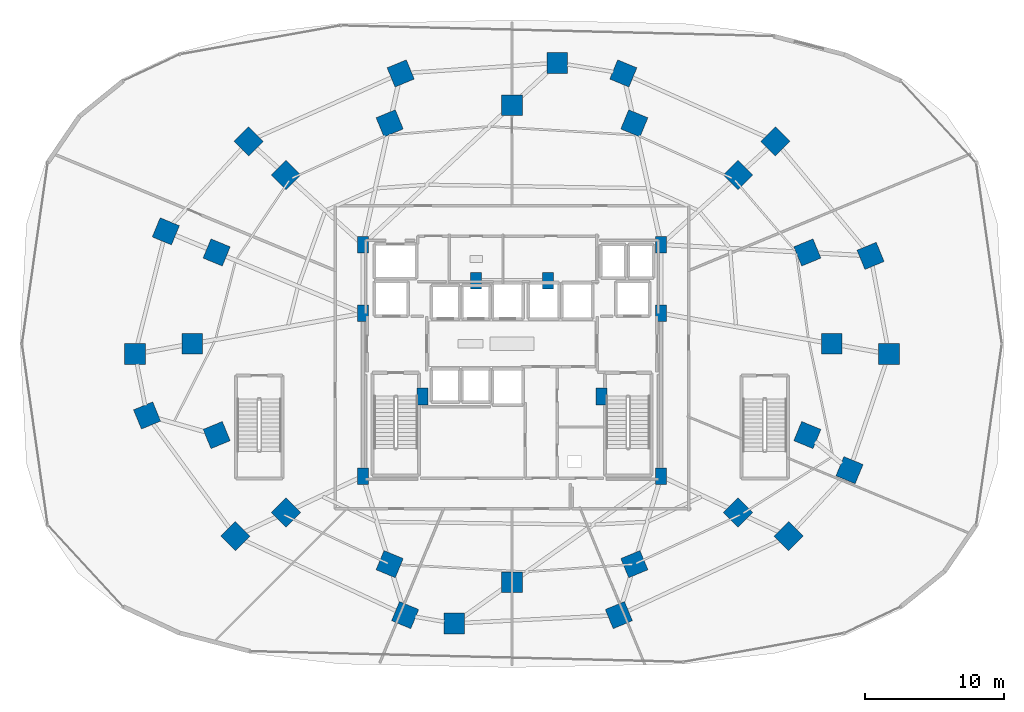
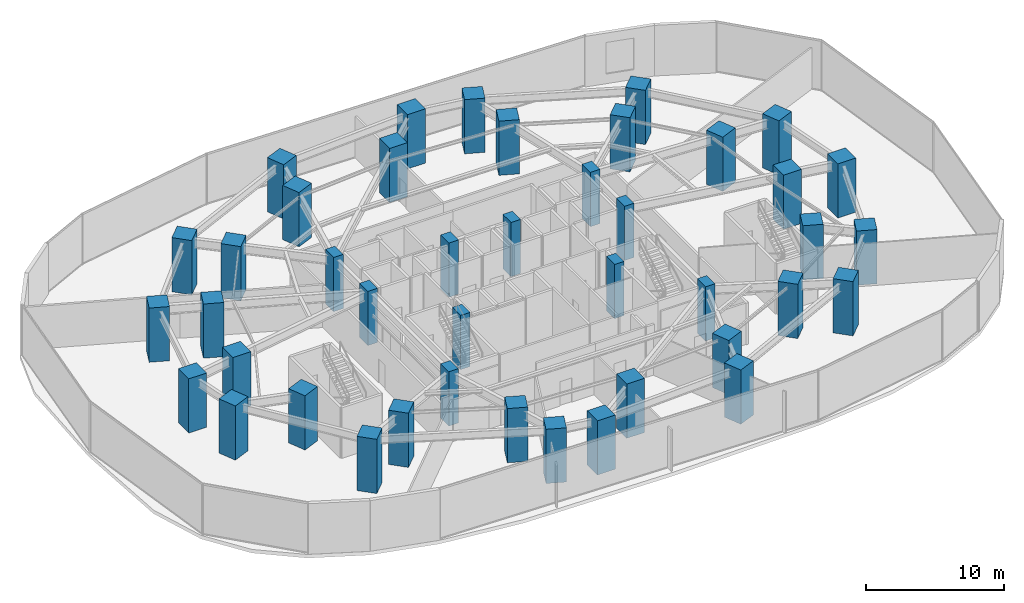
# One storey, part 1 of 27: 42 columns.
"""IFC4 building model written with IfcOpenShell, lengths in metres."""

from ifc_helpers import new_model, si_unit, direction, frame, origin, origin_2d, place, context, subcontext, project, spatial, rectangle, extrude, material, material_profile, profile_set, type_object, element, save


model = new_model("IFC4")

# Units and contexts
model_context = context("Model", 3, precision=1e-05, world=origin(), true_north=direction((0.0, 1.0)))
body_context = subcontext(model_context, "Body", "Model", "MODEL_VIEW")
ifc_project = project(units=[si_unit("LENGTHUNIT", "METRE"), si_unit("AREAUNIT", "SQUARE_METRE"), si_unit("VOLUMEUNIT", "CUBIC_METRE"), si_unit("PLANEANGLEUNIT", "RADIAN"), si_unit("MASSUNIT", "GRAM", prefix="KILO")], contexts=[model_context])

# Site, building, storey
site_placement = place(None, origin())
site = spatial("IfcSite", under=ifc_project, at=site_placement, CompositionType="ELEMENT")
building_placement = place(site_placement, origin())
building = spatial("IfcBuilding", under=site, at=building_placement, Name="Vorneva Point Tower", CompositionType="ELEMENT")
storey_placement = place(building_placement, frame((0.0, 0.0, 4.800048828125)))
storey = spatial("IfcBuildingStorey", under=building, at=storey_placement, Name="L01", CompositionType="ELEMENT", Elevation=4.800048828125)

# Columns
ifc_material = material(Name="Concrete B60 (C50/60)", Category="concrete")
ifc_material_profile_1 = material_profile(ifc_material, rectangle(XDim=1.5, YDim=1.5, at=origin_2d()), Name="RC-COL 1500x1500")
ifc_profile_set_1 = profile_set([ifc_material_profile_1], Name="Concrete B60 (C50/60)")
column_type_1 = type_object("IfcColumnType", Name="COL-RC1500", PredefinedType="COLUMN", material=ifc_profile_set_1)
for number, where, z_axis, x_axis, name in (
    (1, (61.050048828125, 26.0, 0.0), (0.0, 0.0, 1.0), (1.0, 0.0, 0.0), "L01 Perimeter Column P01"),
    (2, (59.29541015625, 32.582275390625, 0.0), (0.0, 0.0, 1.0), (0.923879532511, 0.382683432365, 0.0), "L01 Perimeter Column P02"),
    (3, (54.298828125, 38.162109375, 0.0), (0.0, 0.0, 1.0), (0.707106781187, 0.707106781187, 0.0), "L01 Perimeter Column P03"),
    (4, (46.82080078125, 41.890625, 0.0), (0.0, 0.0, 1.0), (0.382683432365, 0.923879532511, 0.0), "L01 Perimeter Column P04"),
    (5, (38.0, 43.199951171875, 0.0), (0.0, 0.0, 1.0), (0.0, 1.0, 0.0), "L01 Perimeter Column P05"),
    (6, (29.17919921875, 41.890625, 0.0), (0.0, 0.0, 1.0), (-0.382683432365, 0.923879532511, 0.0), "L01 Perimeter Column P06"),
    (7, (21.701171875, 38.162109375, 0.0), (0.0, 0.0, 1.0), (-0.707106781187, 0.707106781187, 0.0), "L01 Perimeter Column P07"),
    (8, (16.70458984375, 32.582275390625, 0.0), (0.0, 0.0, 1.0), (-0.923879532511, 0.382683432365, 0.0), "L01 Perimeter Column P08"),
    (9, (14.949951171875, 26.0, 0.0), (0.0, 0.0, 1.0), (-1.0, 0.0, 0.0), "L01 Perimeter Column P09"),
    (10, (16.70458984375, 19.417724609375, 0.0), (0.0, 0.0, 1.0), (-0.923879532511, -0.382683432365, 0.0), "L01 Perimeter Column P10"),
    (11, (21.701171875, 13.837890625, 0.0), (0.0, 0.0, 1.0), (-0.707106781187, -0.707106781187, 0.0), "L01 Perimeter Column P11"),
    (12, (29.17919921875, 10.109375, 0.0), (0.0, 0.0, 1.0), (-0.382683432365, -0.923879532511, 0.0), "L01 Perimeter Column P12"),
    (13, (38.0, 8.800048828125, 0.0), (0.0, 0.0, 1.0), (0.0, -1.0, 0.0), "L01 Perimeter Column P13"),
    (14, (46.82080078125, 10.109375, 0.0), (0.0, 0.0, 1.0), (0.382683432365, -0.923879532511, 0.0), "L01 Perimeter Column P14"),
    (15, (54.298828125, 13.837890625, 0.0), (0.0, 0.0, 1.0), (0.707106781187, -0.707106781187, 0.0), "L01 Perimeter Column P15"),
    (16, (59.29541015625, 19.417724609375, 0.0), (0.0, 0.0, 1.0), (0.923879532511, -0.382683432365, 0.0), "L01 Perimeter Column P16"),
    (17, (65.18212890625, 25.260986328125, 0.0), (0.0, 0.0, 1.0), (1.0, 0.0, 0.0), "L01 Outer Zone Column OP01"),
    (18, (63.8544921875, 32.336669921875, 0.0), (0.0, 0.0, 1.0), (0.923879532511, 0.382683432365, 0.0), "L01 Outer Zone Column OP02"),
    (19, (56.997314453125, 40.599853515625, 0.0), (0.0, 0.0, 1.0), (0.707106781187, 0.707106781187, 0.0), "L01 Outer Zone Column OP03"),
    (20, (46.026123046875, 45.49169921875, 0.0), (0.0, 0.0, 1.0), (0.382683432365, 0.923879532511, 0.0), "L01 Outer Zone Column OP04"),
    (21, (41.26513671875, 46.25244140625, 0.0), (0.0, 0.0, 1.0), (0.0, 1.0, 0.0), "L01 Outer Zone Column OP05"),
    (22, (29.973876953125, 45.49169921875, 0.0), (0.0, 0.0, 1.0), (-0.382683432365, 0.923879532511, 0.0), "L01 Outer Zone Column OP06"),
    (23, (19.002685546875, 40.599853515625, 0.0), (0.0, 0.0, 1.0), (-0.707106781187, 0.707106781187, 0.0), "L01 Outer Zone Column OP07"),
    (24, (13.0390625, 34.10546875, 0.0), (0.0, 0.0, 1.0), (-0.923879532511, 0.382683432365, 0.0), "L01 Outer Zone Column OP08"),
    (25, (10.81787109375, 25.260986328125, 0.0), (0.0, 0.0, 1.0), (-1.0, 0.0, 0.0), "L01 Outer Zone Column OP09"),
    (26, (11.68798828125, 20.82958984375, 0.0), (0.0, 0.0, 1.0), (-0.923879532511, -0.382683432365, 0.0), "L01 Outer Zone Column OP10"),
    (27, (18.061279296875, 12.124267578125, 0.0), (0.0, 0.0, 1.0), (-0.707106781187, -0.707106781187, 0.0), "L01 Outer Zone Column OP11"),
    (28, (30.296875, 6.435302734375, 0.0), (0.0, 0.0, 1.0), (-0.382683432365, -0.923879532511, 0.0), "L01 Outer Zone Column OP12"),
    (29, (33.84033203125, 5.83984375, 0.0), (0.0, 0.0, 1.0), (0.0, -1.0, 0.0), "L01 Outer Zone Column OP13"),
    (30, (45.703125, 6.435302734375, 0.0), (0.0, 0.0, 1.0), (0.382683432365, -0.923879532511, 0.0), "L01 Outer Zone Column OP14"),
    (31, (57.938720703125, 12.124267578125, 0.0), (0.0, 0.0, 1.0), (0.707106781187, -0.707106781187, 0.0), "L01 Outer Zone Column OP15"),
    (32, (62.3349609375, 16.886474609375, 0.0), (0.0, 0.0, 1.0), (0.923879532511, -0.382683432365, 0.0), "L01 Outer Zone Column OP16"),
):
    element("IfcColumn", number, at=place(storey_placement, frame(where, z_axis=z_axis, x_axis=x_axis)), inside=storey, type_object=column_type_1, Name=name, PredefinedType="COLUMN", context=body_context, shape_type="SweptSolid", body=[
        extrude(rectangle(XDim=1.5, YDim=1.5, at=origin_2d()), origin(), (0.0, 0.0, 1.0), 4.800048828125),
    ])
ifc_material_profile_2 = material_profile(ifc_material, rectangle(XDim=0.800048828125, YDim=1.199951171875, at=origin_2d()), Name="RC-PIL 1200x800")
ifc_profile_set_2 = profile_set([ifc_material_profile_2], Name="Concrete B60 (C50/60)")
column_type_2 = type_object("IfcColumnType", Name="PIL-RC1200x800", PredefinedType="PILASTER", material=ifc_profile_set_2)
for number, where, z_axis, x_axis, name in (
    (33, (27.25, 16.449951171875, 0.0), (0.0, 0.0, 1.0), (1.0, 0.0, 0.0), "L01 Core Pilaster CP1"),
    (34, (27.25, 28.199951171875, 0.0), (0.0, 0.0, 1.0), (1.0, 0.0, 0.0), "L01 Core Pilaster CP2"),
    (35, (27.25, 33.14990234375, 0.0), (0.0, 0.0, 1.0), (1.0, 0.0, 0.0), "L01 Core Pilaster CP3"),
    (36, (31.550048828125, 22.199951171875, 0.0), (0.0, 0.0, 1.0), (1.0, 0.0, 0.0), "L01 Core Pilaster CP4"),
    (37, (48.75, 33.14990234375, 0.0), (0.0, 0.0, 1.0), (1.0, 0.0, 0.0), "L01 Core Pilaster CP5"),
    (38, (48.75, 28.199951171875, 0.0), (0.0, 0.0, 1.0), (1.0, 0.0, 0.0), "L01 Core Pilaster CP6"),
    (39, (48.75, 16.449951171875, 0.0), (0.0, 0.0, 1.0), (1.0, 0.0, 0.0), "L01 Core Pilaster CP7"),
    (40, (44.449951171875, 22.199951171875, 0.0), (0.0, 0.0, 1.0), (1.0, 0.0, 0.0), "L01 Core Pilaster CP8"),
    (41, (35.39990234375, 30.550048828125, 0.0), (0.0, 0.0, 1.0), (1.0, 0.0, 0.0), "L01 Core Pilaster CP9"),
    (42, (40.60009765625, 30.550048828125, 0.0), (0.0, 0.0, 1.0), (1.0, 0.0, 0.0), "L01 Core Pilaster CP10"),
):
    element("IfcColumn", number, at=place(storey_placement, frame(where, z_axis=z_axis, x_axis=x_axis)), inside=storey, type_object=column_type_2, Name=name, PredefinedType="PILASTER", context=body_context, shape_type="SweptSolid", body=[
        extrude(rectangle(XDim=0.800048828125, YDim=1.199951171875, at=origin_2d()), origin(), (0.0, 0.0, 1.0), 4.800048828125),
    ])

save(model, "model.ifc")
